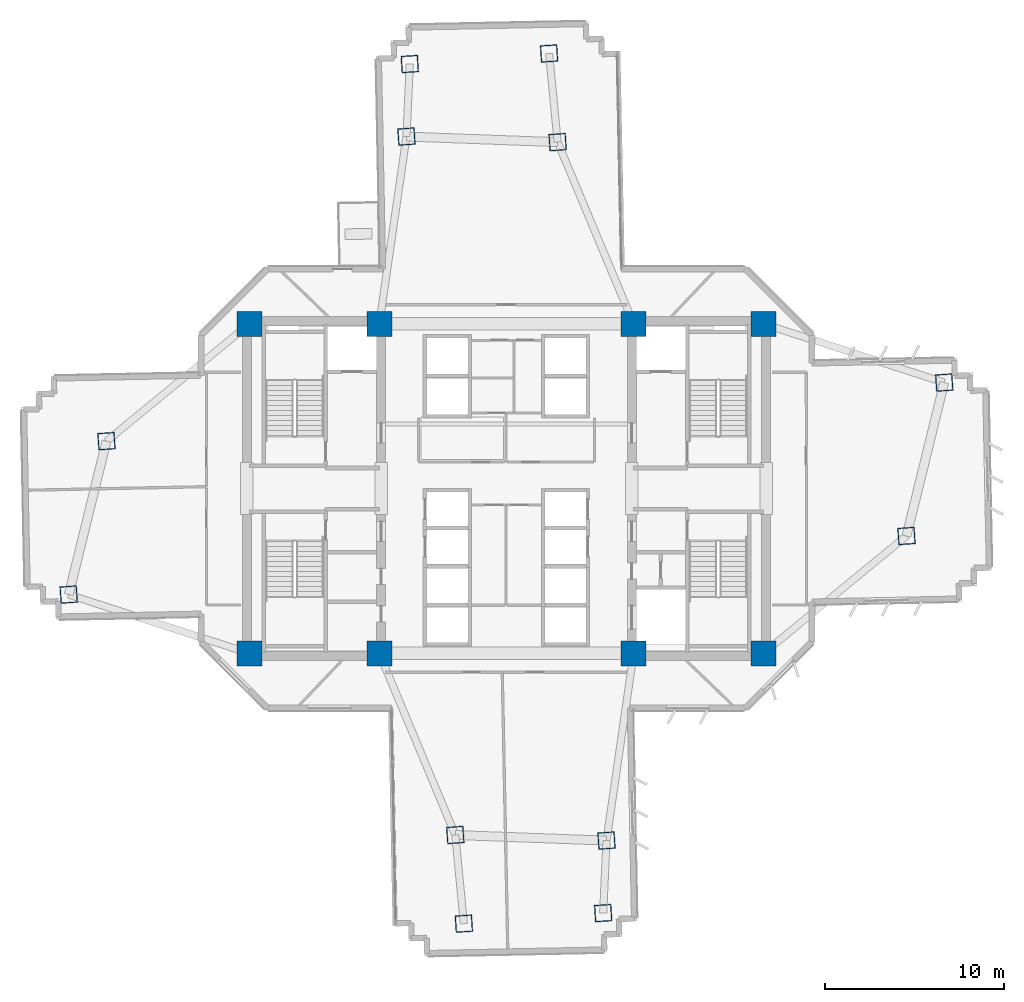
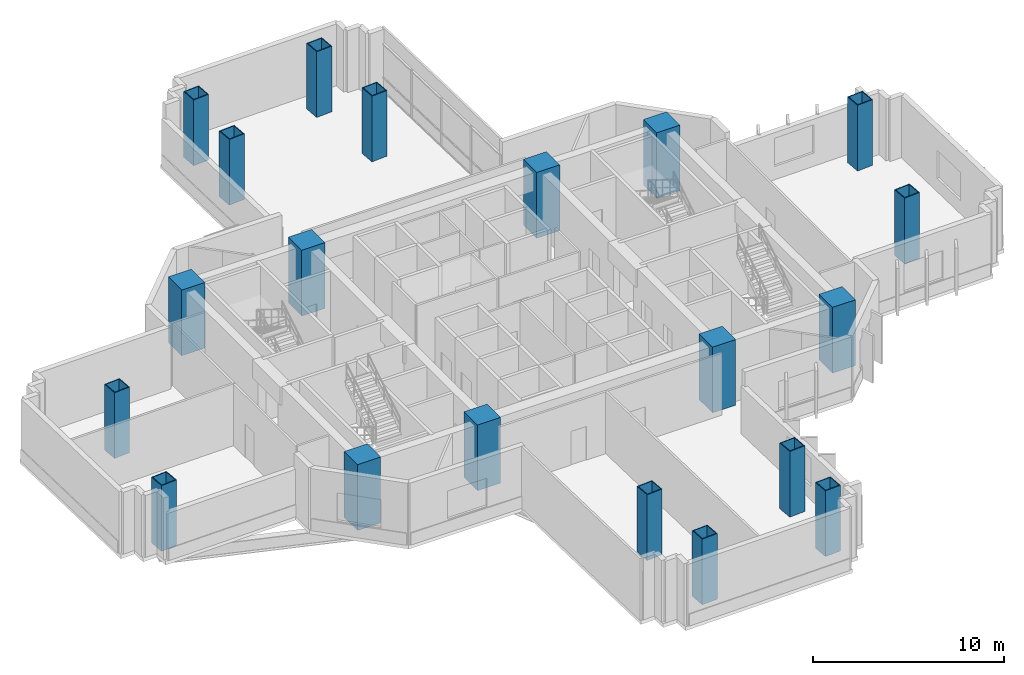
# One storey, part 1 of 15: 20 columns.
"""IFC4 building model written with IfcOpenShell, lengths in metres."""

from ifc_helpers import new_model, si_unit, direction, frame, origin, origin_2d, place, context, subcontext, project, spatial, rectangle, hollow_rectangle, extrude, source, transform, mapped, material, material_profile, profile_set, type_object, element, save


model = new_model("IFC4")

# Units and contexts
model_context = context("Model", 3, precision=1e-05, world=origin(), true_north=direction((0.0, 1.0)))
body_context = subcontext(model_context, "Body", "Model", "MODEL_VIEW")
ifc_project = project(units=[si_unit("LENGTHUNIT", "METRE"), si_unit("AREAUNIT", "SQUARE_METRE"), si_unit("VOLUMEUNIT", "CUBIC_METRE"), si_unit("PLANEANGLEUNIT", "RADIAN"), si_unit("MASSUNIT", "GRAM", prefix="KILO")], contexts=[model_context])

# Site, building, storey
site_placement = place(None, origin())
site = spatial("IfcSite", under=ifc_project, at=site_placement, CompositionType="ELEMENT")
building_placement = place(site_placement, origin())
building = spatial("IfcBuilding", under=site, at=building_placement, Name="Zahravan Cultural Tower", CompositionType="ELEMENT")
storey_placement = place(building_placement, frame((0.0, 0.0, 50.10009765625)))
storey = spatial("IfcBuildingStorey", under=building, at=storey_placement, Name="L10", CompositionType="ELEMENT", Elevation=50.10009765625)

# Columns
ifc_material_1 = material(Name="Concrete C60/75", Category="concrete")
ifc_material_profile_1 = material_profile(ifc_material_1, rectangle(XDim=1.39990234375, YDim=1.39990234375, at=origin_2d()), Name="RC1400X1400")
ifc_profile_set_1 = profile_set([ifc_material_profile_1], Name="Concrete C60/75")
column_type_1 = type_object("IfcColumnType", Name="COL-RC1400", PredefinedType="COLUMN", material=ifc_profile_set_1)
shared_shape_1 = source(origin(), body_context, "Body", "SweptSolid", [
    extrude(rectangle(XDim=1.39990234375, YDim=1.39990234375, at=origin_2d()), origin(), (0.0, 0.0, 1.0), 4.199951171875),
])
for number, where, z_axis, x_axis, name in (
    (1, (21.64990234375, 17.800048828125, 0.0), (0.0, 0.0, 1.0), (1.0, 0.0, 0.0), "L10 Column CC-W1"),
    (2, (28.89990234375, 17.800048828125, 0.0), (0.0, 0.0, 1.0), (1.0, 0.0, 0.0), "L10 Column CC-W2"),
    (3, (21.64990234375, 36.199951171875, 0.0), (0.0, 0.0, 1.0), (1.0, 0.0, 0.0), "L10 Column CC-W3"),
    (4, (28.89990234375, 36.199951171875, 0.0), (0.0, 0.0, 1.0), (1.0, 0.0, 0.0), "L10 Column CC-W4"),
    (5, (43.10009765625, 17.800048828125, 0.0), (0.0, 0.0, 1.0), (1.0, 0.0, 0.0), "L10 Column CC-E1"),
    (6, (50.35009765625, 17.800048828125, 0.0), (0.0, 0.0, 1.0), (1.0, 0.0, 0.0), "L10 Column CC-E2"),
    (7, (43.10009765625, 36.199951171875, 0.0), (0.0, 0.0, 1.0), (1.0, 0.0, 0.0), "L10 Column CC-E3"),
    (8, (50.35009765625, 36.199951171875, 0.0), (0.0, 0.0, 1.0), (1.0, 0.0, 0.0), "L10 Column CC-E4"),
):
    element("IfcColumn", number, at=place(storey_placement, frame(where, z_axis=z_axis, x_axis=x_axis)), inside=storey, type_object=column_type_1, Name=name, PredefinedType="COLUMN", context=body_context, shape_type="MappedRepresentation", body=[
        mapped(shared_shape_1, transform((0.0, 0.0, 0.0), x_axis=(1.0, 0.0, 0.0), y_axis=(0.0, 1.0, 0.0), z_axis=(0.0, 0.0, 1.0), scale=1.0)),
    ])
ifc_material_2 = material(Name="Steel ASTM A572 Grade 50", Category="steel")
ifc_material_profile_2 = material_profile(ifc_material_2, hollow_rectangle(XDim=0.949951171875, YDim=0.949951171875, WallThickness=0.050048828125, at=origin_2d()), Name="BOX950X950X50")
ifc_profile_set_2 = profile_set([ifc_material_profile_2], Name="Steel ASTM A572 Grade 50")
column_type_2 = type_object("IfcColumnType", Name="COL-BOX950", PredefinedType="COLUMN", material=ifc_profile_set_2)
shared_shape_2 = source(origin(), body_context, "Body", "SweptSolid", [
    extrude(hollow_rectangle(XDim=0.949951171875, YDim=0.949951171875, WallThickness=0.050048828125, at=origin_2d()), origin(), (0.0, 0.0, 1.0), 4.199951171875),
])
for number, where, z_axis, x_axis, name in (
    (9, (58.339111328125, 24.351806640625, 0.0), (0.0, 0.0, 1.0), (0.99756405026, 0.069756473744, 0.0), "L10 Column Z1C-E1"),
    (10, (60.446533203125, 32.919677734375, 0.0), (0.0, 0.0, 1.0), (0.99756405026, 0.069756473744, 0.0), "L10 Column Z1C-E2"),
    (11, (38.857421875, 46.346435546875, 0.0), (0.0, 0.0, 1.0), (-0.069756473744, 0.99756405026, 0.0), "L10 Column Z1C-N1"),
    (12, (30.4150390625, 46.658203125, 0.0), (0.0, 0.0, 1.0), (-0.069756473744, 0.99756405026, 0.0), "L10 Column Z1C-N2"),
    (13, (13.660888671875, 29.648193359375, 0.0), (0.0, 0.0, 1.0), (0.99756405026, 0.069756473744, 0.0), "L10 Column Z1C-W1"),
    (14, (11.553466796875, 21.080322265625, 0.0), (0.0, 0.0, 1.0), (0.99756405026, 0.069756473744, 0.0), "L10 Column Z1C-W2"),
    (15, (33.142578125, 7.653564453125, 0.0), (0.0, 0.0, 1.0), (-0.069756473744, 0.99756405026, 0.0), "L10 Column Z1C-S1"),
    (16, (41.5849609375, 7.341796875, 0.0), (0.0, 0.0, 1.0), (-0.069756473744, 0.99756405026, 0.0), "L10 Column Z1C-S2"),
    (17, (38.379150390625, 51.29736328125, 0.0), (0.0, 0.0, 1.0), (-0.062790519529, 0.998026728428, 0.0), "L10 Column Z1T-N1"),
    (18, (30.6005859375, 50.707763671875, 0.0), (0.0, 0.0, 1.0), (-0.062790519529, 0.998026728428, 0.0), "L10 Column Z1T-N2"),
    (19, (33.620849609375, 2.70263671875, 0.0), (0.0, 0.0, 1.0), (-0.062790519529, 0.998026728428, 0.0), "L10 Column Z1T-S1"),
    (20, (41.3994140625, 3.292236328125, 0.0), (0.0, 0.0, 1.0), (-0.062790519529, 0.998026728428, 0.0), "L10 Column Z1T-S2"),
):
    element("IfcColumn", number, at=place(storey_placement, frame(where, z_axis=z_axis, x_axis=x_axis)), inside=storey, type_object=column_type_2, Name=name, PredefinedType="COLUMN", context=body_context, shape_type="MappedRepresentation", body=[
        mapped(shared_shape_2, transform((0.0, 0.0, 0.0), x_axis=(1.0, 0.0, 0.0), y_axis=(0.0, 1.0, 0.0), z_axis=(0.0, 0.0, 1.0), scale=1.0)),
    ])

save(model, "model.ifc")
